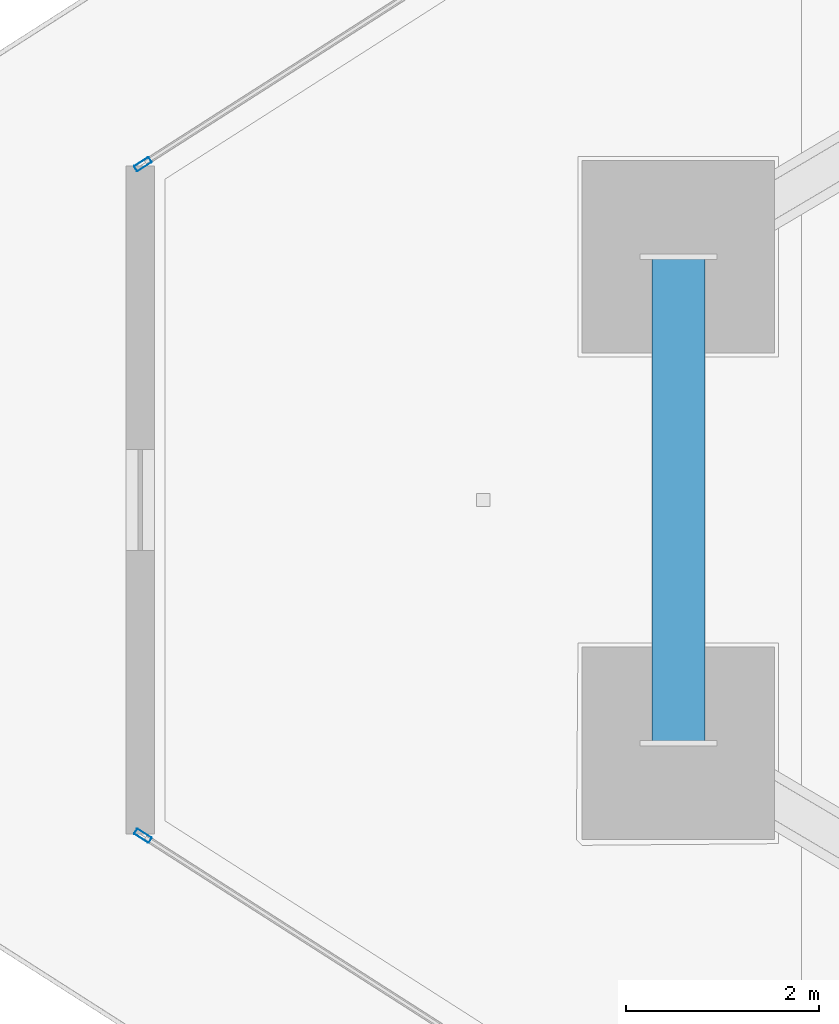
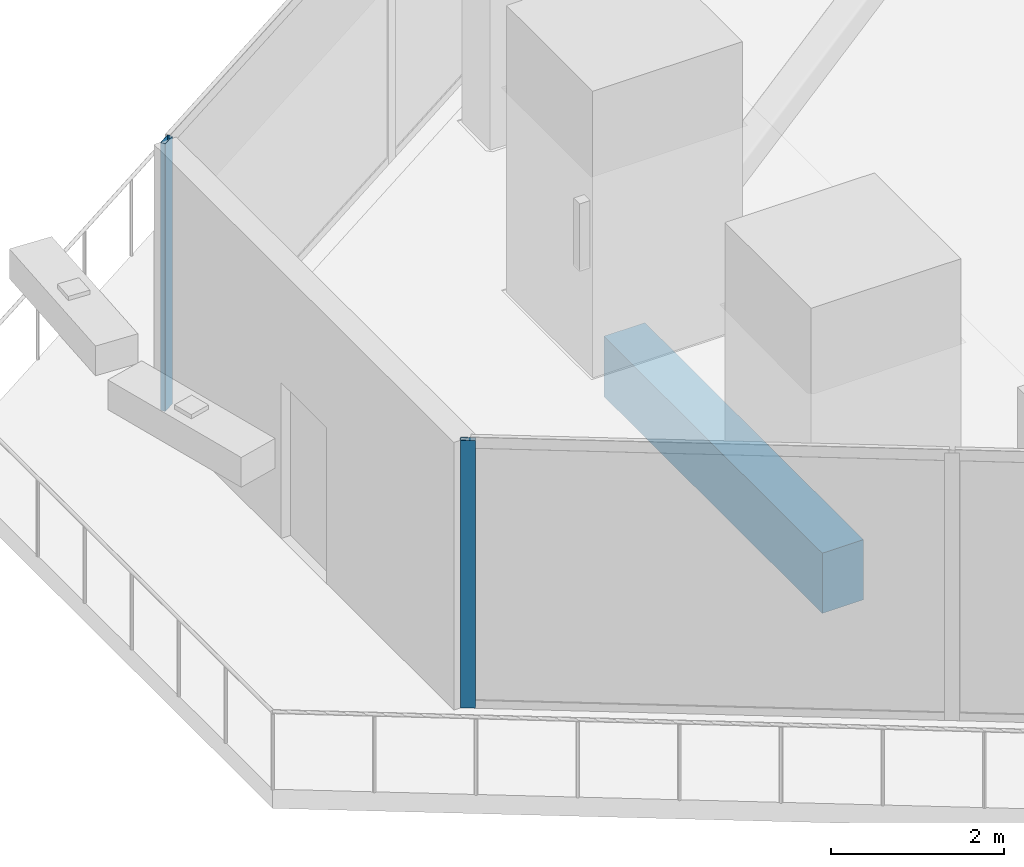
# One storey, part 7 of 39: 2 members, 1 beam, 2 elements without a shape of their own.
"""IFC4 building model written with IfcOpenShell, lengths in metres."""

import ifcopenshell
import ifcopenshell.guid

model = None  # the IFC model being written
_history = None  # IfcOwnerHistory: only IFC2X3 demands one
_inside = {}  # id of a spatial element -> (the spatial element, [elements in it])
_under = {}  # id of a project, library or spatial element -> (it, [spatial elements below it])
_declared = {}  # id of a project -> (the project, [libraries it declares])
_typed = {}  # id of a type object -> (the type object, [elements of that type])
_made_of = {}  # id of a material, layer set ... -> (it, [elements and type objects made of it])


def new_model(schema):
    """Start an empty IFC model of exactly this schema.

    Asked for "IFC4X3", IfcOpenShell would pick the latest addendum, in which some entities
    have other attributes; the version numbers below select the first issue.
    IFC2X3 requires an IfcOwnerHistory on every rooted entity: one is made here for all.
    """
    global model, _history
    if schema == "IFC4X3":
        model = ifcopenshell.file(schema_version=(4, 3, 0, 0))
    else:
        model = ifcopenshell.file(schema=schema)
    _inside.clear()
    _under.clear()
    _declared.clear()
    _typed.clear()
    _made_of.clear()
    _history = None
    if model.schema == "IFC2X3":
        org = make("IfcOrganization", Name="unknown")
        user = make(
            "IfcPersonAndOrganization",
            ThePerson=make("IfcPerson", FamilyName="unknown"),
            TheOrganization=org,
        )
        app = make(
            "IfcApplication",
            ApplicationDeveloper=org,
            Version="unknown",
            ApplicationFullName="unknown",
            ApplicationIdentifier="unknown",
        )
        _history = make(
            "IfcOwnerHistory",
            OwningUser=user,
            OwningApplication=app,
            ChangeAction="ADDED",
            CreationDate=0,
        )
    return model


def make(cls, **values):
    """One entity of the class cls with the attributes given. An attribute that is None is left unset."""
    return model.create_entity(
        cls, **{name: value for name, value in values.items() if value is not None}
    )


def rooted(cls, **values):
    """An entity with a GlobalId (a new one), such as an element, a storey or a relation."""
    return make(cls, GlobalId=ifcopenshell.guid.new(), OwnerHistory=_history, **values)


def si_unit(unit_type, name, prefix=None):
    """IfcSIUnit, for example si_unit("LENGTHUNIT", "METRE", prefix="MILLI")."""
    return make("IfcSIUnit", UnitType=unit_type, Prefix=prefix, Name=name)


def assignment(units):
    """IfcUnitAssignment: the units of a project."""
    return None if units is None else make("IfcUnitAssignment", Units=units)


def point(xyz):
    """IfcCartesianPoint."""
    return None if xyz is None else make("IfcCartesianPoint", Coordinates=xyz)


def direction(xyz):
    """IfcDirection."""
    return None if xyz is None else make("IfcDirection", DirectionRatios=xyz)


def frame(location, z_axis=None, x_axis=None):
    """IfcAxis2Placement3D, a coordinate frame: its origin and axes. An axis left out is left unset."""
    return make(
        "IfcAxis2Placement3D",
        Location=point(location),
        Axis=direction(z_axis),
        RefDirection=direction(x_axis),
    )


def frame_2d(location, x_axis=None):
    """IfcAxis2Placement2D, a coordinate frame in the plane: its origin and x axis."""
    return make(
        "IfcAxis2Placement2D", Location=point(location), RefDirection=direction(x_axis)
    )


def origin():
    """The frame at (0, 0, 0) with its axes left unset."""
    return frame((0.0, 0.0, 0.0))


def origin_2d():
    """The frame at (0, 0) in the plane with its x axis left unset."""
    return frame_2d((0.0, 0.0))


def place(relative_to, where):
    """IfcLocalPlacement: puts the frame where relative to a parent placement (None: the world)."""
    return make(
        "IfcLocalPlacement", PlacementRelTo=relative_to, RelativePlacement=where
    )


def context(
    kind, dimensions, precision=None, world=None, true_north=None, identifier=None
):
    """IfcGeometricRepresentationContext, for example the 3D "Model" context."""
    return make(
        "IfcGeometricRepresentationContext",
        ContextIdentifier=identifier,
        ContextType=kind,
        CoordinateSpaceDimension=dimensions,
        Precision=precision,
        WorldCoordinateSystem=world,
        TrueNorth=true_north,
    )


def subcontext(parent, identifier, kind, view, scale=None):
    """IfcGeometricRepresentationSubContext, for example "Body" below "Model"."""
    return make(
        "IfcGeometricRepresentationSubContext",
        ContextIdentifier=identifier,
        ContextType=kind,
        ParentContext=parent,
        TargetScale=scale,
        TargetView=view,
    )


def project(units=None, contexts=None):
    """IfcProject with its units and contexts."""
    return rooted(
        "IfcProject",
        Name="project",
        RepresentationContexts=contexts,
        UnitsInContext=assignment(units),
    )


def spatial(cls, under=None, at=None, **own):
    """A site, building, storey or space (cls), placed at a placement, below another one or the project."""
    s = rooted(cls, ObjectPlacement=at, **own)
    if under is not None:
        _under.setdefault(under.id(), (under, []))[1].append(s)
    return s


def profile(cls, at=None, kind="AREA", **sizes):
    """A parametric profile (cls). Its sizes go by their IFC names, for example OverallWidth=200.0."""
    return make(cls, ProfileType=kind, Position=at, **sizes)


def rectangle(**sizes):
    """IfcRectangleProfileDef."""
    return profile("IfcRectangleProfileDef", **sizes)


def hollow_rectangle(**sizes):
    """IfcRectangleHollowProfileDef."""
    return profile("IfcRectangleHollowProfileDef", **sizes)


def extrude(swept, where, along, depth):
    """IfcExtrudedAreaSolid: the profile swept, set in the frame where, extruded along a direction by depth."""
    return make(
        "IfcExtrudedAreaSolid",
        SweptArea=swept,
        Position=where,
        ExtrudedDirection=direction(along),
        Depth=depth,
    )


def shape(context_of_items, identifier, shape_type, items):
    """IfcShapeRepresentation: the items that make up one representation, for example the "Body"."""
    return make(
        "IfcShapeRepresentation",
        ContextOfItems=context_of_items,
        RepresentationIdentifier=identifier,
        RepresentationType=shape_type,
        Items=items,
    )


def material(Name=None, Category=None):
    """IfcMaterial."""
    return make("IfcMaterial", Name=Name, Category=Category)


def layer(
    of_material, thickness, ventilated=None, Name=None, Category=None, Priority=None
):
    """IfcMaterialLayer: one layer of a wall or slab, of a material (None: an air gap)."""
    return make(
        "IfcMaterialLayer",
        Material=of_material,
        LayerThickness=thickness,
        IsVentilated=ventilated,
        Name=Name,
        Category=Category,
        Priority=Priority,
    )


def layer_set(layers, Name=None):
    """IfcMaterialLayerSet."""
    return make("IfcMaterialLayerSet", MaterialLayers=layers, LayerSetName=Name)


def material_profile(
    of_material, cross_section, Name=None, Category=None, Priority=None
):
    """IfcMaterialProfile: a cross section and its material."""
    return make(
        "IfcMaterialProfile",
        Name=Name,
        Material=of_material,
        Profile=cross_section,
        Priority=Priority,
        Category=Category,
    )


def profile_set(profiles, Name=None, composite=None):
    """IfcMaterialProfileSet."""
    return make(
        "IfcMaterialProfileSet",
        Name=Name,
        MaterialProfiles=profiles,
        CompositeProfile=composite,
    )


def made_of(thing, what):
    """Note that an element or type object is made of a material, layer set ...; save() writes the relation."""
    if what is not None:
        _made_of.setdefault(what.id(), (what, []))[1].append(thing)
    return thing


def type_object(cls, material=None, **own):
    """A type object (cls), such as IfcWallType, which elements share."""
    return made_of(rooted(cls, **own), material)


def element(
    cls,
    number,
    at=None,
    inside=None,
    cuts=None,
    type_object=None,
    material=None,
    context=None,
    identifier="Body",
    shape_type=None,
    held_by="IfcProductDefinitionShape",
    body=None,
    shapes=None,
    **own,
):
    """One element of the class cls, such as IfcWall. Its Tag is "e" and its number.

    at: its placement. inside: the storey or other place that contains it. cuts: it is an
    opening in that element (IfcRelVoidsElement). A single representation is given by context,
    identifier, shape_type and body (its items); several are given by shapes. held_by: the class
    of the entity that holds the representations. save() writes the other relations.
    """
    e = rooted(cls, Tag="e%d" % number, ObjectPlacement=at, **own)
    if body is not None:
        shapes = [shape(context, identifier, shape_type, body)]
    if shapes is not None:
        e.Representation = make(held_by, Representations=shapes)
    if inside is not None:
        _inside.setdefault(inside.id(), (inside, []))[1].append(e)
    if cuts is not None:
        rooted(
            "IfcRelVoidsElement", RelatingBuildingElement=cuts, RelatedOpeningElement=e
        )
    if type_object is not None:
        _typed.setdefault(type_object.id(), (type_object, []))[1].append(e)
    return made_of(e, material)


def aggregate(whole, parts):
    """IfcRelAggregates: a whole, such as a stair, and the parts it consists of."""
    return rooted("IfcRelAggregates", RelatingObject=whole, RelatedObjects=parts)


def save(model, path):
    """Write the relations noted so far, then the file.

    IfcRelAggregates (storeys below a building ...), IfcRelContainedInSpatialStructure (elements
    in a storey), IfcRelDefinesByType, IfcRelAssociatesMaterial and IfcRelDeclares: one each for
    every whole, place, type object, material and project.
    """
    for whole, parts in _under.values():
        aggregate(whole, parts)
    for where, things in _inside.values():
        rooted(
            "IfcRelContainedInSpatialStructure",
            RelatedElements=things,
            RelatingStructure=where,
        )
    for kind, things in _typed.values():
        rooted("IfcRelDefinesByType", RelatedObjects=things, RelatingType=kind)
    for what, things in _made_of.values():
        rooted("IfcRelAssociatesMaterial", RelatedObjects=things, RelatingMaterial=what)
    for by, libraries in _declared.values():
        rooted("IfcRelDeclares", RelatingContext=by, RelatedDefinitions=libraries)
    model.write(path)


model = new_model("IFC4")

# Units and contexts
model_context = context("Model", 3, precision=1e-05, world=origin(), true_north=direction((0.0, 1.0)))
body_context = subcontext(model_context, "Body", "Model", "MODEL_VIEW")
ifc_project = project(units=[si_unit("LENGTHUNIT", "METRE"), si_unit("AREAUNIT", "SQUARE_METRE"), si_unit("VOLUMEUNIT", "CUBIC_METRE"), si_unit("PLANEANGLEUNIT", "RADIAN"), si_unit("MASSUNIT", "GRAM", prefix="KILO")], contexts=[model_context])

# Site, building, storey
site_placement = place(None, origin())
site = spatial("IfcSite", under=ifc_project, at=site_placement, CompositionType="ELEMENT")
building_placement = place(site_placement, origin())
building = spatial("IfcBuilding", under=site, at=building_placement, Name="Qorvath Tower", CompositionType="ELEMENT")
storey_placement = place(building_placement, frame((0.0, 0.0, 201.0)))
storey = spatial("IfcBuildingStorey", under=building, at=storey_placement, Name="L46", CompositionType="ELEMENT", Elevation=201.0)

# Beam
ifc_material_1 = material(Name="Concrete C50/60", Category="concrete")
ifc_material_profile_1 = material_profile(ifc_material_1, rectangle(XDim=0.550048828125, YDim=0.85009765625, at=origin_2d()), Name="RCB 850x550")
ifc_profile_set_1 = profile_set([ifc_material_profile_1], Name="Concrete C50/60")
beam_type = type_object("IfcBeamType", Name="BM-RCB2", PredefinedType="SPANDREL", material=ifc_profile_set_1)
beam_placement = place(storey_placement, frame((-49.171875, 2.52783203125, -0.695068359375), z_axis=(0.0, -1.0, 0.0), x_axis=(1.0, 0.0, 0.0)))
element("IfcBeam", 1, at=beam_placement, inside=storey, type_object=beam_type, Name="Perimeter Loggia Frame Beam MC1-MC2 L46", PredefinedType="SPANDREL", context=body_context, shape_type="SweptSolid", body=[
    extrude(rectangle(XDim=0.550048828125, YDim=0.85009765625, at=origin_2d()), origin(), (0.0, 0.0, 1.0), 5.0556640625),
])

# Curtain wall, member
ifc_material_2 = material(Name="Anodised aluminium and triple low-E glass", Category="aluminium")
ifc_layer = layer(ifc_material_2, 0.179931640625)
ifc_layer_set = layer_set([ifc_layer], Name="CW-SYS-3")
curtain_wall_type = type_object("IfcCurtainWallType", Name="CW-SYS-3", PredefinedType="NOTDEFINED", material=ifc_layer_set)
curtain_wall_1_placement = place(storey_placement, origin())
curtain_wall_1 = element("IfcCurtainWall", 2, at=curtain_wall_1_placement, inside=storey, type_object=curtain_wall_type, Name="Curtain Wall CW-3 CW-T-L46-2.1", PredefinedType="NOTDEFINED")
ifc_material_3 = material(Name="Anodised aluminium 6063-T6", Category="aluminium")
ifc_material_profile_2 = material_profile(ifc_material_3, hollow_rectangle(XDim=0.06494140625, YDim=0.179931640625, WallThickness=0.00341796875, InnerFilletRadius=0.00341796875, OuterFilletRadius=0.007080078125, at=origin_2d()), Name="CWM 180x65")
ifc_profile_set_2 = profile_set([ifc_material_profile_2], Name="Anodised aluminium 6063-T6")
member_type = type_object("IfcMemberType", Name="CWM-180", PredefinedType="MULLION", material=ifc_profile_set_2)
member_1_placement = place(storey_placement, frame((-54.7353515625, -3.489013671875, 0.0), z_axis=(0.0, 0.0, 1.0), x_axis=(0.538533623725, 0.842604020948, 0.0)))
member_1 = element("IfcMember", 3, at=member_1_placement, type_object=member_type, Name="CW-3 mullion 1", PredefinedType="MULLION", context=body_context, shape_type="SweptSolid", body=[
    extrude(hollow_rectangle(XDim=0.06494140625, YDim=0.179931640625, WallThickness=0.00341796875, InnerFilletRadius=0.00341796875, OuterFilletRadius=0.007080078125, at=origin_2d()), origin(), (0.0, 0.0, 1.0), 3.780029296875),
])
aggregate(curtain_wall_1, [member_1])

curtain_wall_2_placement = place(storey_placement, origin())
curtain_wall_2 = element("IfcCurtainWall", 4, at=curtain_wall_2_placement, inside=storey, type_object=curtain_wall_type, Name="Curtain Wall CW-3 CW-T-L46-16.1", PredefinedType="NOTDEFINED")
member_2_placement = place(storey_placement, frame((-54.7353515625, 3.489013671875, 0.0), z_axis=(0.0, 0.0, 1.0), x_axis=(0.538533623725, -0.842604020948, 0.0)))
member_2 = element("IfcMember", 5, at=member_2_placement, type_object=member_type, Name="CW-3 mullion 9", PredefinedType="MULLION", context=body_context, shape_type="SweptSolid", body=[
    extrude(hollow_rectangle(XDim=0.06494140625, YDim=0.179931640625, WallThickness=0.00341796875, InnerFilletRadius=0.00341796875, OuterFilletRadius=0.007080078125, at=origin_2d()), origin(), (0.0, 0.0, 1.0), 3.780029296875),
])
aggregate(curtain_wall_2, [member_2])

save(model, "model.ifc")
